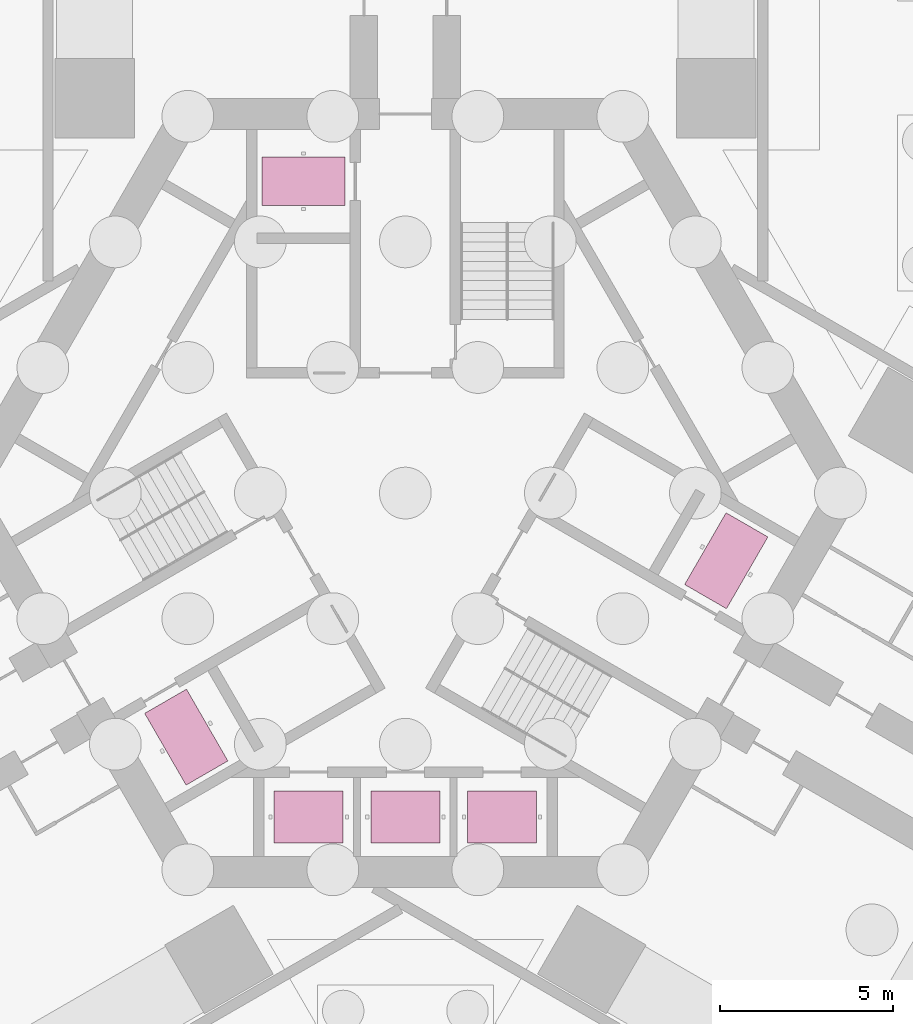
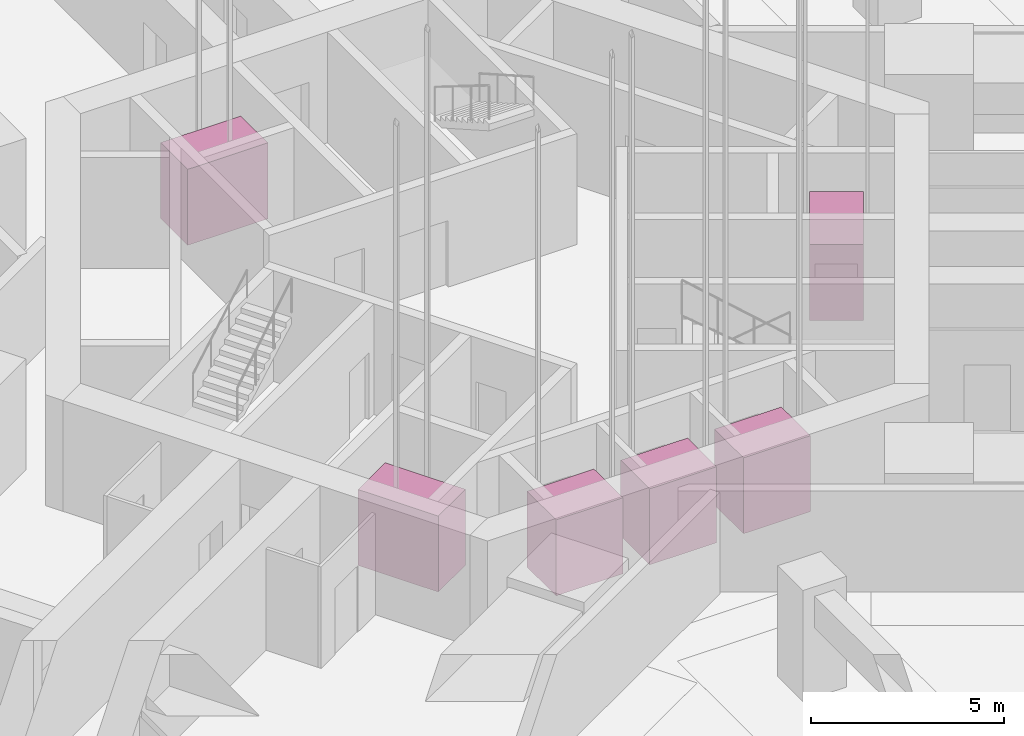
# One storey, part 61 of 73: 6 transport elements.
"""IFC4 building model written with IfcOpenShell, lengths in metres."""

from ifc_helpers import new_model, si_unit, direction, frame, origin, origin_2d, place, context, subcontext, project, spatial, rectangle, extrude, material, type_object, element, save


model = new_model("IFC4")

# Units and contexts
model_context = context("Model", 3, precision=1e-05, world=origin(), true_north=direction((0.0, 1.0)))
body_context = subcontext(model_context, "Body", "Model", "MODEL_VIEW")
ifc_project = project(units=[si_unit("LENGTHUNIT", "METRE"), si_unit("AREAUNIT", "SQUARE_METRE"), si_unit("VOLUMEUNIT", "CUBIC_METRE"), si_unit("PLANEANGLEUNIT", "RADIAN"), si_unit("MASSUNIT", "GRAM", prefix="KILO")], contexts=[model_context])

# Site, building, storey
site_placement = place(None, origin())
site = spatial("IfcSite", under=ifc_project, at=site_placement, CompositionType="ELEMENT")
building_placement = place(site_placement, origin())
building = spatial("IfcBuilding", under=site, at=building_placement, Name="Impinga Residences", CompositionType="ELEMENT")
storey_placement = place(building_placement, frame((0.0, 0.0, -10.5)))
storey = spatial("IfcBuildingStorey", under=building, at=storey_placement, Name="B3", CompositionType="ELEMENT", Elevation=-10.5)

# Transport elements
ifc_material = material(Name="Steel lift car, stainless steel lining", Category="steel")
transport_element_type_1 = type_object("IfcTransportElementType", Name="LF firefighting lift 1600 kg, car 1400x2400", PredefinedType="ELEVATOR", material=ifc_material)
for number, where, z_axis, x_axis, name in (
    (1, (-2.949951171875, 9.030029296875, 0.0), (0.0, 0.0, 1.0), (0.0, 1.0, 0.0), "Firefighting lift F1"),
    (2, (-6.34521484375, -7.06982421875, 0.0), (0.0, 0.0, 1.0), (-0.866025403784, -0.5, 0.0), "Firefighting lift F2"),
    (3, (9.295166015625, -1.960205078125, 0.0), (0.0, 0.0, 1.0), (0.866025403784, -0.5, 0.0), "Firefighting lift F3"),
):
    element("IfcTransportElement", number, at=place(storey_placement, frame(where, z_axis=z_axis, x_axis=x_axis)), inside=storey, type_object=transport_element_type_1, Name=name, PredefinedType="ELEVATOR", context=body_context, shape_type="SweptSolid", body=[
        extrude(rectangle(XDim=1.39990234375, YDim=2.39990234375, at=origin_2d()), origin(), (0.0, 0.0, 1.0), 2.39990234375),
    ])
transport_element_type_2 = type_object("IfcTransportElementType", Name="LP passenger lift 1275 kg, car 2000x1500", PredefinedType="ELEVATOR", material=ifc_material)
for number, where, z_axis, x_axis, name in (
    (4, (2.800048828125, -9.381591796875, 0.0), (0.0, 0.0, 1.0), (1.0, 0.0, 0.0), "Passenger lift P1 low-rise"),
    (5, (0.0, -9.381591796875, 0.0), (0.0, 0.0, 1.0), (1.0, 0.0, 0.0), "Passenger lift P2 low-rise"),
    (6, (-2.800048828125, -9.381591796875, 0.0), (0.0, 0.0, 1.0), (1.0, 0.0, 0.0), "Passenger lift P3 low-rise"),
):
    element("IfcTransportElement", number, at=place(storey_placement, frame(where, z_axis=z_axis, x_axis=x_axis)), inside=storey, type_object=transport_element_type_2, Name=name, PredefinedType="ELEVATOR", context=body_context, shape_type="SweptSolid", body=[
        extrude(rectangle(XDim=2.0, YDim=1.5, at=origin_2d()), origin(), (0.0, 0.0, 1.0), 2.39990234375),
    ])

save(model, "model.ifc")
